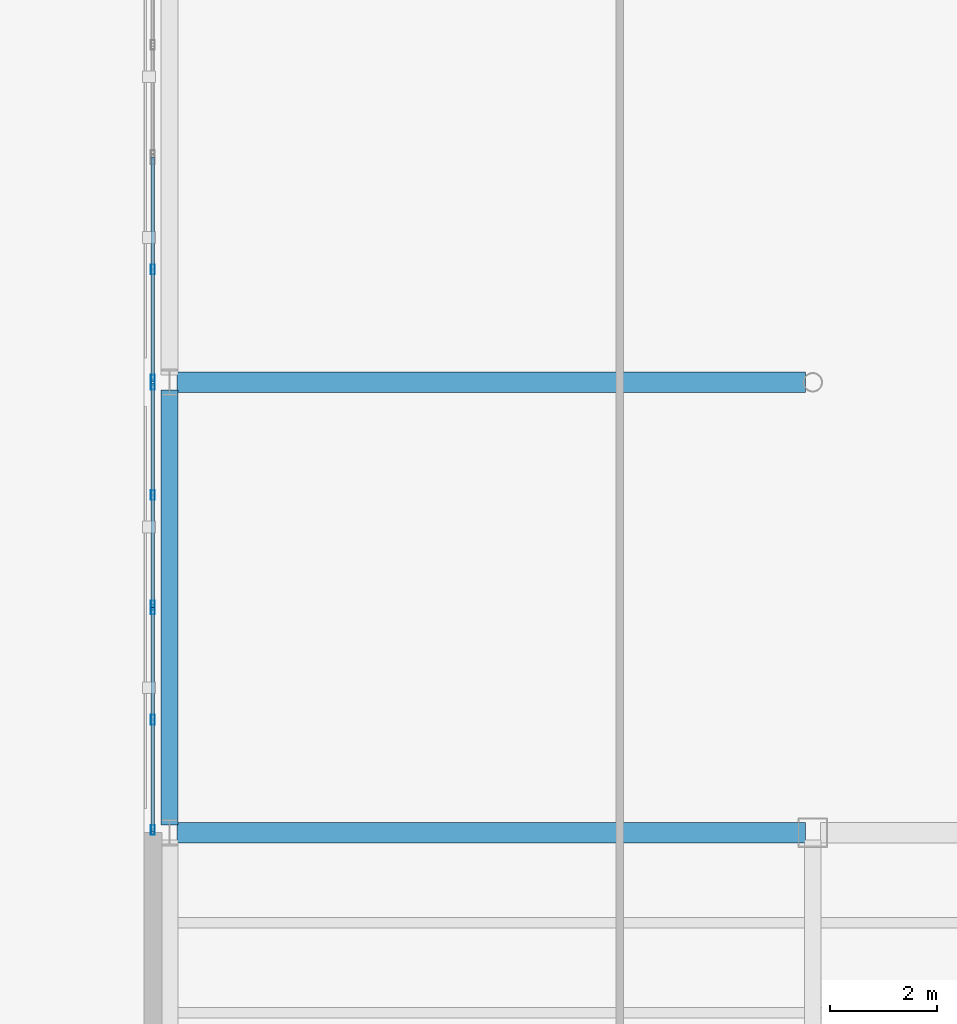
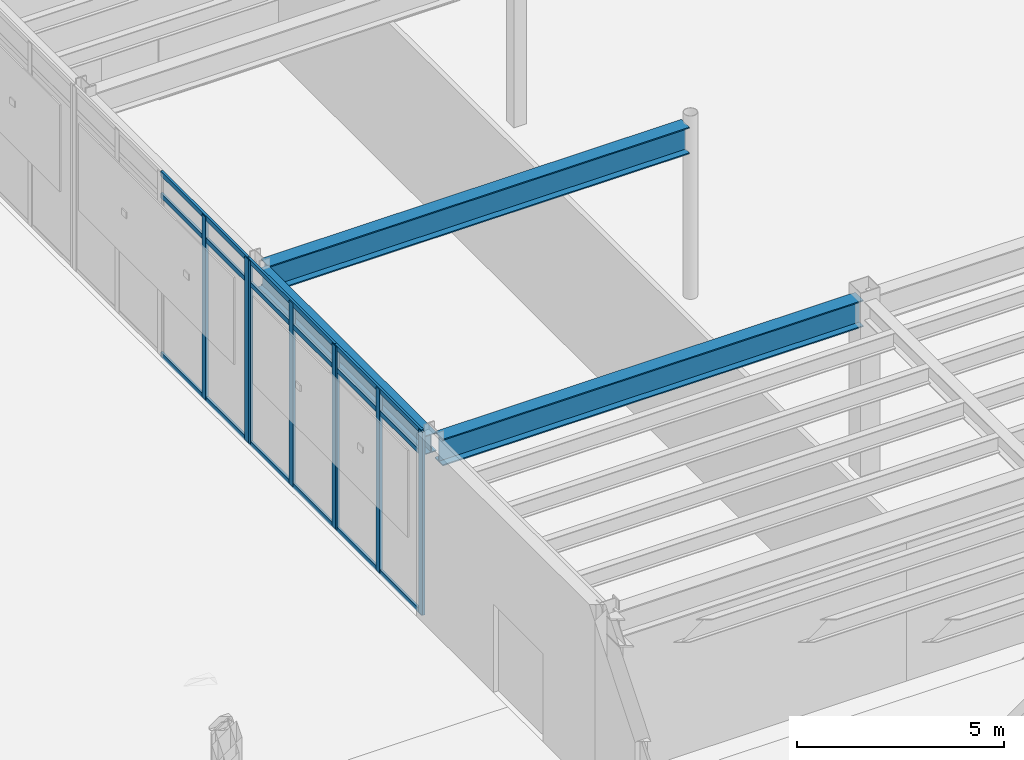
# One storey, part 29 of 94: 17 members, 3 beams, 3 elements without a shape of their own.
"""IFC4 building model written with IfcOpenShell, lengths in metres."""

from ifc_helpers import new_model, si_unit, direction, frame, origin, origin_2d, place, context, subcontext, project, spatial, hollow_rectangle, i_section, extrude, material, layer, layer_set, material_profile, profile_set, type_object, element, aggregate, save


model = new_model("IFC4")

# Units and contexts
model_context = context("Model", 3, precision=1e-05, world=origin(), true_north=direction((0.0, 1.0)))
body_context = subcontext(model_context, "Body", "Model", "MODEL_VIEW")
ifc_project = project(units=[si_unit("LENGTHUNIT", "METRE"), si_unit("AREAUNIT", "SQUARE_METRE"), si_unit("VOLUMEUNIT", "CUBIC_METRE"), si_unit("PLANEANGLEUNIT", "RADIAN"), si_unit("MASSUNIT", "GRAM", prefix="KILO")], contexts=[model_context])

# Site, building, storey
site_placement = place(None, origin())
site = spatial("IfcSite", under=ifc_project, at=site_placement, CompositionType="ELEMENT")
building_placement = place(site_placement, origin())
building = spatial("IfcBuilding", under=site, at=building_placement, Name="Sollismere Congress Hotel", CompositionType="ELEMENT")
storey_placement = place(building_placement, origin())
storey = spatial("IfcBuildingStorey", under=building, at=storey_placement, Name="L00", CompositionType="ELEMENT", Elevation=0.0)

# Beams
ifc_material_1 = material(Name="Steel ASTM A992 Grade 50", Category="steel")
ifc_material_profile_1 = material_profile(ifc_material_1, i_section(OverallWidth=0.31494140625, OverallDepth=0.551025390625, WebThickness=0.01513671875, FlangeThickness=0.0244140625, at=origin_2d()), Name="W21X122")
ifc_profile_set_1 = profile_set([ifc_material_profile_1], Name="Steel ASTM A992 Grade 50")
beam_type_1 = type_object("IfcBeamType", Name="BM-G21H", PredefinedType="BEAM", material=ifc_profile_set_1)
beam_placement = place(storey_placement, frame((112.0, 33.340087890625, 4.839599609375), z_axis=(0.0, 1.0, 0.0), x_axis=(-1.0, 0.0, 0.0)))
element("IfcBeam", 1, at=beam_placement, inside=storey, type_object=beam_type_1, Name="Beam BM-L00-1279", PredefinedType="BEAM", context=body_context, shape_type="SweptSolid", body=[
    extrude(i_section(OverallWidth=0.31494140625, OverallDepth=0.551025390625, WebThickness=0.01513671875, FlangeThickness=0.0244140625, at=origin_2d()), origin(), (0.0, 0.0, 1.0), 8.119873046875),
])
ifc_material_profile_2 = material_profile(ifc_material_1, i_section(OverallWidth=0.384033203125, OverallDepth=0.787109375, WebThickness=0.019775390625, FlangeThickness=0.033447265625, at=origin_2d()), Name="W30X211")
ifc_profile_set_2 = profile_set([ifc_material_profile_2], Name="Steel ASTM A992 Grade 50")
beam_type_2 = type_object("IfcBeamType", Name="BM-G30", PredefinedType="BEAM", material=ifc_profile_set_2)
for number, where, z_axis, x_axis, name in (
    (2, (112.139892578125, 33.199951171875, 4.721435546875), (1.0, 0.0, 0.0), (0.0, 1.0, 0.0), "Beam BM-L00-1168"),
    (3, (112.139892578125, 41.60009765625, 4.721435546875), (1.0, 0.0, 0.0), (0.0, 1.0, 0.0), "Beam BM-L00-1176"),
):
    element("IfcBeam", number, at=place(storey_placement, frame(where, z_axis=z_axis, x_axis=x_axis)), inside=storey, type_object=beam_type_2, Name=name, PredefinedType="BEAM", context=body_context, shape_type="SweptSolid", body=[
        extrude(i_section(OverallWidth=0.384033203125, OverallDepth=0.787109375, WebThickness=0.019775390625, FlangeThickness=0.033447265625, at=origin_2d()), origin(), (0.0, 0.0, 1.0), 11.72021484375),
    ])

# Curtain wall, members
ifc_material_2 = material(Name="Anodized Bronze Curtain Wall & Low-E Triple Glazing", Category="glass")
ifc_layer = layer(ifc_material_2, 0.199951171875, Name="Anodized Bronze Curtain Wall & Low-E Triple Glazing")
ifc_layer_set = layer_set([ifc_layer], Name="Anodized Bronze Curtain Wall & Low-E Triple Glazing")
curtain_wall_type = type_object("IfcCurtainWallType", Name="CW-GLZ36", PredefinedType="USERDEFINED", material=ifc_layer_set)
curtain_wall_1_placement = place(storey_placement, origin())
curtain_wall_1 = element("IfcCurtainWall", 4, at=curtain_wall_1_placement, inside=storey, type_object=curtain_wall_type, Name="Unitised curtain wall CW-L00-135", ObjectType="UNITISED CURTAIN WALL", PredefinedType="USERDEFINED")
ifc_material_3 = material(Name="Anodized Aluminum 6063-T6", Category="aluminium")
ifc_material_profile_3 = material_profile(ifc_material_3, hollow_rectangle(XDim=0.074951171875, YDim=0.179931640625, WallThickness=0.0048828125, at=origin_2d()), Name="ALU180X75X5")
ifc_profile_set_3 = profile_set([ifc_material_profile_3], Name="Anodized Aluminum 6063-T6")
member_type_1 = type_object("IfcMemberType", Name="ML-CW180", PredefinedType="MULLION", material=ifc_profile_set_3)
member_1_placement = place(storey_placement, frame((111.68994140625, 33.248046875, 0.0), z_axis=(0.0, 0.0, 1.0), x_axis=(-1.0, 0.0, 0.0)))
member_1 = element("IfcMember", 5, at=member_1_placement, type_object=member_type_1, Name="CWL-CW-L00-135-ML01", PredefinedType="MULLION", context=body_context, shape_type="SweptSolid", body=[
    extrude(hollow_rectangle(XDim=0.074951171875, YDim=0.179931640625, WallThickness=0.0048828125, at=origin_2d()), origin(), (0.0, 0.0, 1.0), 5.39990234375),
])
member_2_placement = place(storey_placement, frame((111.68994140625, 35.304931640625, 0.0), z_axis=(0.0, 0.0, 1.0), x_axis=(-1.0, 0.0, 0.0)))
member_2 = element("IfcMember", 6, at=member_2_placement, type_object=member_type_1, Name="CWL-CW-L00-135-ML02", PredefinedType="MULLION", context=body_context, shape_type="SweptSolid", body=[
    extrude(hollow_rectangle(XDim=0.074951171875, YDim=0.179931640625, WallThickness=0.0048828125, at=origin_2d()), origin(), (0.0, 0.0, 1.0), 5.39990234375),
])
member_3_placement = place(storey_placement, frame((111.68994140625, 37.362060546875, 0.0), z_axis=(0.0, 0.0, 1.0), x_axis=(-1.0, 0.0, 0.0)))
member_3 = element("IfcMember", 7, at=member_3_placement, type_object=member_type_1, Name="CWL-CW-L00-135-ML03", PredefinedType="MULLION", context=body_context, shape_type="SweptSolid", body=[
    extrude(hollow_rectangle(XDim=0.074951171875, YDim=0.179931640625, WallThickness=0.0048828125, at=origin_2d()), origin(), (0.0, 0.0, 1.0), 5.39990234375),
])

curtain_wall_2_placement = place(storey_placement, origin())
curtain_wall_2 = element("IfcCurtainWall", 8, at=curtain_wall_2_placement, inside=storey, type_object=curtain_wall_type, Name="Unitised curtain wall CW-L00-136", ObjectType="UNITISED CURTAIN WALL", PredefinedType="USERDEFINED")
member_4_placement = place(storey_placement, frame((111.68994140625, 37.43798828125, 0.0), z_axis=(0.0, 0.0, 1.0), x_axis=(-1.0, 0.0, 0.0)))
member_4 = element("IfcMember", 9, at=member_4_placement, type_object=member_type_1, Name="CWL-CW-L00-136-ML01", PredefinedType="MULLION", context=body_context, shape_type="SweptSolid", body=[
    extrude(hollow_rectangle(XDim=0.074951171875, YDim=0.179931640625, WallThickness=0.0048828125, at=origin_2d()), origin(), (0.0, 0.0, 1.0), 5.39990234375),
])
member_5_placement = place(storey_placement, frame((111.68994140625, 39.4951171875, 0.0), z_axis=(0.0, 0.0, 1.0), x_axis=(-1.0, 0.0, 0.0)))
member_5 = element("IfcMember", 10, at=member_5_placement, type_object=member_type_1, Name="CWL-CW-L00-136-ML02", PredefinedType="MULLION", context=body_context, shape_type="SweptSolid", body=[
    extrude(hollow_rectangle(XDim=0.074951171875, YDim=0.179931640625, WallThickness=0.0048828125, at=origin_2d()), origin(), (0.0, 0.0, 1.0), 5.39990234375),
])
member_6_placement = place(storey_placement, frame((111.68994140625, 41.552001953125, 0.0), z_axis=(0.0, 0.0, 1.0), x_axis=(-1.0, 0.0, 0.0)))
member_6 = element("IfcMember", 11, at=member_6_placement, type_object=member_type_1, Name="CWL-CW-L00-136-ML03", PredefinedType="MULLION", context=body_context, shape_type="SweptSolid", body=[
    extrude(hollow_rectangle(XDim=0.074951171875, YDim=0.179931640625, WallThickness=0.0048828125, at=origin_2d()), origin(), (0.0, 0.0, 1.0), 5.39990234375),
])

curtain_wall_3_placement = place(storey_placement, origin())
curtain_wall_3 = element("IfcCurtainWall", 12, at=curtain_wall_3_placement, inside=storey, type_object=curtain_wall_type, Name="Unitised curtain wall CW-L00-137", ObjectType="UNITISED CURTAIN WALL", PredefinedType="USERDEFINED")
member_7_placement = place(storey_placement, frame((111.68994140625, 41.64794921875, 0.0), z_axis=(0.0, 0.0, 1.0), x_axis=(-1.0, 0.0, 0.0)))
member_7 = element("IfcMember", 13, at=member_7_placement, type_object=member_type_1, Name="CWL-CW-L00-137-ML01", PredefinedType="MULLION", context=body_context, shape_type="SweptSolid", body=[
    extrude(hollow_rectangle(XDim=0.074951171875, YDim=0.179931640625, WallThickness=0.0048828125, at=origin_2d()), origin(), (0.0, 0.0, 1.0), 5.39990234375),
])
member_8_placement = place(storey_placement, frame((111.68994140625, 43.705078125, 0.0), z_axis=(0.0, 0.0, 1.0), x_axis=(-1.0, 0.0, 0.0)))
member_8 = element("IfcMember", 14, at=member_8_placement, type_object=member_type_1, Name="CWL-CW-L00-137-ML02", PredefinedType="MULLION", context=body_context, shape_type="SweptSolid", body=[
    extrude(hollow_rectangle(XDim=0.074951171875, YDim=0.179931640625, WallThickness=0.0048828125, at=origin_2d()), origin(), (0.0, 0.0, 1.0), 5.39990234375),
])

# Member
ifc_material_profile_4 = material_profile(ifc_material_3, hollow_rectangle(XDim=0.06494140625, YDim=0.139892578125, WallThickness=0.00390625, at=origin_2d()), Name="ALU140X65X4")
ifc_profile_set_4 = profile_set([ifc_material_profile_4], Name="Anodized Aluminum 6063-T6")
member_type_2 = type_object("IfcMemberType", Name="TR-CW150", PredefinedType="MEMBER", material=ifc_profile_set_4)
member_9_placement = place(storey_placement, frame((111.68994140625, 33.2099609375, 0.032470703125), z_axis=(0.0, 1.0, 0.0), x_axis=(-1.0, 0.0, 0.0)))
member_9 = element("IfcMember", 15, at=member_9_placement, type_object=member_type_2, Name="CWL-CW-L00-135-TR1", PredefinedType="MEMBER", context=body_context, shape_type="SweptSolid", body=[
    extrude(hollow_rectangle(XDim=0.06494140625, YDim=0.139892578125, WallThickness=0.00390625, at=origin_2d()), origin(), (0.0, 0.0, 1.0), 4.18994140625),
])

member_10_placement = place(storey_placement, frame((111.68994140625, 33.2099609375, 4.719970703125), z_axis=(0.0, 1.0, 0.0), x_axis=(-1.0, 0.0, 0.0)))
member_10 = element("IfcMember", 16, at=member_10_placement, type_object=member_type_2, Name="CWL-CW-L00-135-TR2", PredefinedType="MEMBER", context=body_context, shape_type="SweptSolid", body=[
    extrude(hollow_rectangle(XDim=0.06494140625, YDim=0.139892578125, WallThickness=0.00390625, at=origin_2d()), origin(), (0.0, 0.0, 1.0), 4.18994140625),
])

member_11_placement = place(storey_placement, frame((111.68994140625, 33.2099609375, 5.367431640625), z_axis=(0.0, 1.0, 0.0), x_axis=(-1.0, 0.0, 0.0)))
member_11 = element("IfcMember", 17, at=member_11_placement, type_object=member_type_2, Name="CWL-CW-L00-135-TR3", PredefinedType="MEMBER", context=body_context, shape_type="SweptSolid", body=[
    extrude(hollow_rectangle(XDim=0.06494140625, YDim=0.139892578125, WallThickness=0.00390625, at=origin_2d()), origin(), (0.0, 0.0, 1.0), 4.18994140625),
])

aggregate(curtain_wall_1, [member_1, member_2, member_3, member_9, member_10, member_11])

member_12_placement = place(storey_placement, frame((111.68994140625, 37.39990234375, 0.032470703125), z_axis=(0.0, 1.0, 0.0), x_axis=(-1.0, 0.0, 0.0)))
member_12 = element("IfcMember", 18, at=member_12_placement, type_object=member_type_2, Name="CWL-CW-L00-136-TR1", PredefinedType="MEMBER", context=body_context, shape_type="SweptSolid", body=[
    extrude(hollow_rectangle(XDim=0.06494140625, YDim=0.139892578125, WallThickness=0.00390625, at=origin_2d()), origin(), (0.0, 0.0, 1.0), 4.190185546875),
])

member_13_placement = place(storey_placement, frame((111.68994140625, 37.39990234375, 4.719970703125), z_axis=(0.0, 1.0, 0.0), x_axis=(-1.0, 0.0, 0.0)))
member_13 = element("IfcMember", 19, at=member_13_placement, type_object=member_type_2, Name="CWL-CW-L00-136-TR2", PredefinedType="MEMBER", context=body_context, shape_type="SweptSolid", body=[
    extrude(hollow_rectangle(XDim=0.06494140625, YDim=0.139892578125, WallThickness=0.00390625, at=origin_2d()), origin(), (0.0, 0.0, 1.0), 4.190185546875),
])

member_14_placement = place(storey_placement, frame((111.68994140625, 37.39990234375, 5.367431640625), z_axis=(0.0, 1.0, 0.0), x_axis=(-1.0, 0.0, 0.0)))
member_14 = element("IfcMember", 20, at=member_14_placement, type_object=member_type_2, Name="CWL-CW-L00-136-TR3", PredefinedType="MEMBER", context=body_context, shape_type="SweptSolid", body=[
    extrude(hollow_rectangle(XDim=0.06494140625, YDim=0.139892578125, WallThickness=0.00390625, at=origin_2d()), origin(), (0.0, 0.0, 1.0), 4.190185546875),
])

aggregate(curtain_wall_2, [member_4, member_5, member_6, member_12, member_13, member_14])

member_15_placement = place(storey_placement, frame((111.68994140625, 41.610107421875, 0.032470703125), z_axis=(0.0, 1.0, 0.0), x_axis=(-1.0, 0.0, 0.0)))
member_15 = element("IfcMember", 21, at=member_15_placement, type_object=member_type_2, Name="CWL-CW-L00-137-TR1", PredefinedType="MEMBER", context=body_context, shape_type="SweptSolid", body=[
    extrude(hollow_rectangle(XDim=0.06494140625, YDim=0.139892578125, WallThickness=0.00390625, at=origin_2d()), origin(), (0.0, 0.0, 1.0), 4.18994140625),
])

member_16_placement = place(storey_placement, frame((111.68994140625, 41.610107421875, 4.719970703125), z_axis=(0.0, 1.0, 0.0), x_axis=(-1.0, 0.0, 0.0)))
member_16 = element("IfcMember", 22, at=member_16_placement, type_object=member_type_2, Name="CWL-CW-L00-137-TR2", PredefinedType="MEMBER", context=body_context, shape_type="SweptSolid", body=[
    extrude(hollow_rectangle(XDim=0.06494140625, YDim=0.139892578125, WallThickness=0.00390625, at=origin_2d()), origin(), (0.0, 0.0, 1.0), 4.18994140625),
])

member_17_placement = place(storey_placement, frame((111.68994140625, 41.610107421875, 5.367431640625), z_axis=(0.0, 1.0, 0.0), x_axis=(-1.0, 0.0, 0.0)))
member_17 = element("IfcMember", 23, at=member_17_placement, type_object=member_type_2, Name="CWL-CW-L00-137-TR3", PredefinedType="MEMBER", context=body_context, shape_type="SweptSolid", body=[
    extrude(hollow_rectangle(XDim=0.06494140625, YDim=0.139892578125, WallThickness=0.00390625, at=origin_2d()), origin(), (0.0, 0.0, 1.0), 4.18994140625),
])

aggregate(curtain_wall_3, [member_7, member_8, member_15, member_16, member_17])

save(model, "model.ifc")
